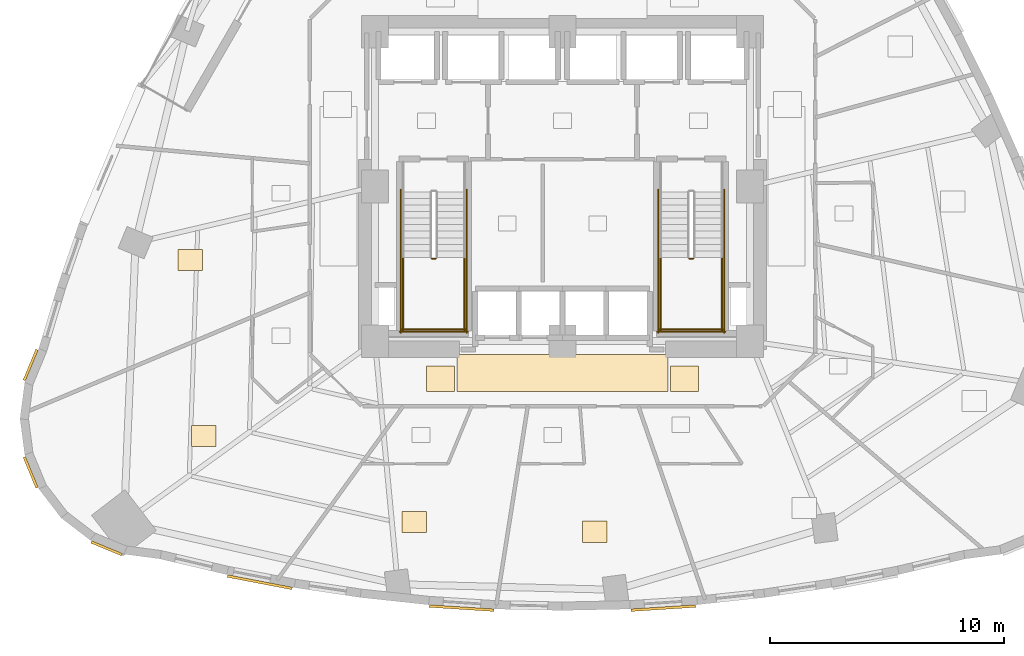
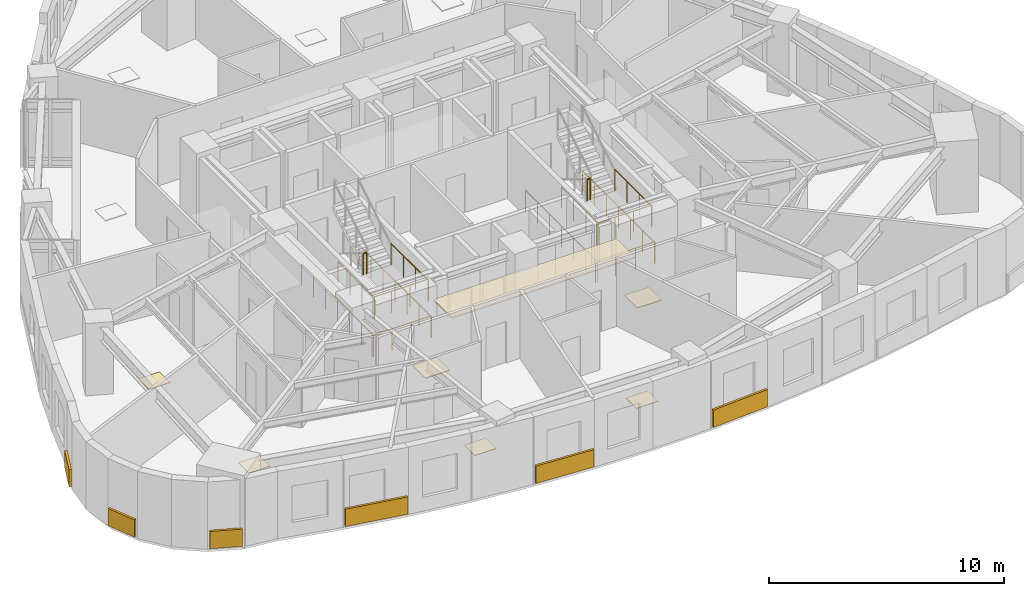
# One storey, part 10 of 12: 14 railings, 13 coverings.
"""IFC4 building model written with IfcOpenShell, lengths in metres."""

import ifcopenshell
import ifcopenshell.guid

model = None  # the IFC model being written
_history = None  # IfcOwnerHistory: only IFC2X3 demands one
_inside = {}  # id of a spatial element -> (the spatial element, [elements in it])
_under = {}  # id of a project, library or spatial element -> (it, [spatial elements below it])
_declared = {}  # id of a project -> (the project, [libraries it declares])
_typed = {}  # id of a type object -> (the type object, [elements of that type])
_made_of = {}  # id of a material, layer set ... -> (it, [elements and type objects made of it])


def new_model(schema):
    """Start an empty IFC model of exactly this schema.

    Asked for "IFC4X3", IfcOpenShell would pick the latest addendum, in which some entities
    have other attributes; the version numbers below select the first issue.
    IFC2X3 requires an IfcOwnerHistory on every rooted entity: one is made here for all.
    """
    global model, _history
    if schema == "IFC4X3":
        model = ifcopenshell.file(schema_version=(4, 3, 0, 0))
    else:
        model = ifcopenshell.file(schema=schema)
    _inside.clear()
    _under.clear()
    _declared.clear()
    _typed.clear()
    _made_of.clear()
    _history = None
    if model.schema == "IFC2X3":
        org = make("IfcOrganization", Name="unknown")
        user = make(
            "IfcPersonAndOrganization",
            ThePerson=make("IfcPerson", FamilyName="unknown"),
            TheOrganization=org,
        )
        app = make(
            "IfcApplication",
            ApplicationDeveloper=org,
            Version="unknown",
            ApplicationFullName="unknown",
            ApplicationIdentifier="unknown",
        )
        _history = make(
            "IfcOwnerHistory",
            OwningUser=user,
            OwningApplication=app,
            ChangeAction="ADDED",
            CreationDate=0,
        )
    return model


def make(cls, **values):
    """One entity of the class cls with the attributes given. An attribute that is None is left unset."""
    return model.create_entity(
        cls, **{name: value for name, value in values.items() if value is not None}
    )


def rooted(cls, **values):
    """An entity with a GlobalId (a new one), such as an element, a storey or a relation."""
    return make(cls, GlobalId=ifcopenshell.guid.new(), OwnerHistory=_history, **values)


def si_unit(unit_type, name, prefix=None):
    """IfcSIUnit, for example si_unit("LENGTHUNIT", "METRE", prefix="MILLI")."""
    return make("IfcSIUnit", UnitType=unit_type, Prefix=prefix, Name=name)


def assignment(units):
    """IfcUnitAssignment: the units of a project."""
    return None if units is None else make("IfcUnitAssignment", Units=units)


def point(xyz):
    """IfcCartesianPoint."""
    return None if xyz is None else make("IfcCartesianPoint", Coordinates=xyz)


def direction(xyz):
    """IfcDirection."""
    return None if xyz is None else make("IfcDirection", DirectionRatios=xyz)


def frame(location, z_axis=None, x_axis=None):
    """IfcAxis2Placement3D, a coordinate frame: its origin and axes. An axis left out is left unset."""
    return make(
        "IfcAxis2Placement3D",
        Location=point(location),
        Axis=direction(z_axis),
        RefDirection=direction(x_axis),
    )


def frame_2d(location, x_axis=None):
    """IfcAxis2Placement2D, a coordinate frame in the plane: its origin and x axis."""
    return make(
        "IfcAxis2Placement2D", Location=point(location), RefDirection=direction(x_axis)
    )


def origin():
    """The frame at (0, 0, 0) with its axes left unset."""
    return frame((0.0, 0.0, 0.0))


def origin_2d():
    """The frame at (0, 0) in the plane with its x axis left unset."""
    return frame_2d((0.0, 0.0))


def place(relative_to, where):
    """IfcLocalPlacement: puts the frame where relative to a parent placement (None: the world)."""
    return make(
        "IfcLocalPlacement", PlacementRelTo=relative_to, RelativePlacement=where
    )


def context(
    kind, dimensions, precision=None, world=None, true_north=None, identifier=None
):
    """IfcGeometricRepresentationContext, for example the 3D "Model" context."""
    return make(
        "IfcGeometricRepresentationContext",
        ContextIdentifier=identifier,
        ContextType=kind,
        CoordinateSpaceDimension=dimensions,
        Precision=precision,
        WorldCoordinateSystem=world,
        TrueNorth=true_north,
    )


def subcontext(parent, identifier, kind, view, scale=None):
    """IfcGeometricRepresentationSubContext, for example "Body" below "Model"."""
    return make(
        "IfcGeometricRepresentationSubContext",
        ContextIdentifier=identifier,
        ContextType=kind,
        ParentContext=parent,
        TargetScale=scale,
        TargetView=view,
    )


def project(units=None, contexts=None):
    """IfcProject with its units and contexts."""
    return rooted(
        "IfcProject",
        Name="project",
        RepresentationContexts=contexts,
        UnitsInContext=assignment(units),
    )


def spatial(cls, under=None, at=None, **own):
    """A site, building, storey or space (cls), placed at a placement, below another one or the project."""
    s = rooted(cls, ObjectPlacement=at, **own)
    if under is not None:
        _under.setdefault(under.id(), (under, []))[1].append(s)
    return s


def profile(cls, at=None, kind="AREA", **sizes):
    """A parametric profile (cls). Its sizes go by their IFC names, for example OverallWidth=200.0."""
    return make(cls, ProfileType=kind, Position=at, **sizes)


def rectangle(**sizes):
    """IfcRectangleProfileDef."""
    return profile("IfcRectangleProfileDef", **sizes)


def circle(**sizes):
    """IfcCircleProfileDef."""
    return profile("IfcCircleProfileDef", **sizes)


def extrude(swept, where, along, depth):
    """IfcExtrudedAreaSolid: the profile swept, set in the frame where, extruded along a direction by depth."""
    return make(
        "IfcExtrudedAreaSolid",
        SweptArea=swept,
        Position=where,
        ExtrudedDirection=direction(along),
        Depth=depth,
    )


def shape(context_of_items, identifier, shape_type, items):
    """IfcShapeRepresentation: the items that make up one representation, for example the "Body"."""
    return make(
        "IfcShapeRepresentation",
        ContextOfItems=context_of_items,
        RepresentationIdentifier=identifier,
        RepresentationType=shape_type,
        Items=items,
    )


def material(Name=None, Category=None):
    """IfcMaterial."""
    return make("IfcMaterial", Name=Name, Category=Category)


def layer(
    of_material, thickness, ventilated=None, Name=None, Category=None, Priority=None
):
    """IfcMaterialLayer: one layer of a wall or slab, of a material (None: an air gap)."""
    return make(
        "IfcMaterialLayer",
        Material=of_material,
        LayerThickness=thickness,
        IsVentilated=ventilated,
        Name=Name,
        Category=Category,
        Priority=Priority,
    )


def layer_set(layers, Name=None):
    """IfcMaterialLayerSet."""
    return make("IfcMaterialLayerSet", MaterialLayers=layers, LayerSetName=Name)


def made_of(thing, what):
    """Note that an element or type object is made of a material, layer set ...; save() writes the relation."""
    if what is not None:
        _made_of.setdefault(what.id(), (what, []))[1].append(thing)
    return thing


def type_object(cls, material=None, **own):
    """A type object (cls), such as IfcWallType, which elements share."""
    return made_of(rooted(cls, **own), material)


def element(
    cls,
    number,
    at=None,
    inside=None,
    cuts=None,
    type_object=None,
    material=None,
    context=None,
    identifier="Body",
    shape_type=None,
    held_by="IfcProductDefinitionShape",
    body=None,
    shapes=None,
    **own,
):
    """One element of the class cls, such as IfcWall. Its Tag is "e" and its number.

    at: its placement. inside: the storey or other place that contains it. cuts: it is an
    opening in that element (IfcRelVoidsElement). A single representation is given by context,
    identifier, shape_type and body (its items); several are given by shapes. held_by: the class
    of the entity that holds the representations. save() writes the other relations.
    """
    e = rooted(cls, Tag="e%d" % number, ObjectPlacement=at, **own)
    if body is not None:
        shapes = [shape(context, identifier, shape_type, body)]
    if shapes is not None:
        e.Representation = make(held_by, Representations=shapes)
    if inside is not None:
        _inside.setdefault(inside.id(), (inside, []))[1].append(e)
    if cuts is not None:
        rooted(
            "IfcRelVoidsElement", RelatingBuildingElement=cuts, RelatedOpeningElement=e
        )
    if type_object is not None:
        _typed.setdefault(type_object.id(), (type_object, []))[1].append(e)
    return made_of(e, material)


def aggregate(whole, parts):
    """IfcRelAggregates: a whole, such as a stair, and the parts it consists of."""
    return rooted("IfcRelAggregates", RelatingObject=whole, RelatedObjects=parts)


def save(model, path):
    """Write the relations noted so far, then the file.

    IfcRelAggregates (storeys below a building ...), IfcRelContainedInSpatialStructure (elements
    in a storey), IfcRelDefinesByType, IfcRelAssociatesMaterial and IfcRelDeclares: one each for
    every whole, place, type object, material and project.
    """
    for whole, parts in _under.values():
        aggregate(whole, parts)
    for where, things in _inside.values():
        rooted(
            "IfcRelContainedInSpatialStructure",
            RelatedElements=things,
            RelatingStructure=where,
        )
    for kind, things in _typed.values():
        rooted("IfcRelDefinesByType", RelatedObjects=things, RelatingType=kind)
    for what, things in _made_of.values():
        rooted("IfcRelAssociatesMaterial", RelatedObjects=things, RelatingMaterial=what)
    for by, libraries in _declared.values():
        rooted("IfcRelDeclares", RelatingContext=by, RelatedDefinitions=libraries)
    model.write(path)


model = new_model("IFC4")

# Units and contexts
model_context = context("Model", 3, precision=1e-05, world=origin(), true_north=direction((0.0, 1.0)))
body_context = subcontext(model_context, "Body", "Model", "MODEL_VIEW")
ifc_project = project(units=[si_unit("LENGTHUNIT", "METRE"), si_unit("AREAUNIT", "SQUARE_METRE"), si_unit("VOLUMEUNIT", "CUBIC_METRE"), si_unit("PLANEANGLEUNIT", "RADIAN"), si_unit("MASSUNIT", "GRAM", prefix="KILO")], contexts=[model_context])

# Site, building, storey
site_placement = place(None, origin())
site = spatial("IfcSite", under=ifc_project, at=site_placement, CompositionType="ELEMENT")
building_placement = place(site_placement, origin())
building = spatial("IfcBuilding", under=site, at=building_placement, Name="Ndelora Gate Hotel", CompositionType="ELEMENT")
storey_placement = place(building_placement, frame((0.0, 0.0, 38.0)))
storey = spatial("IfcBuildingStorey", under=building, at=storey_placement, Name="L08", CompositionType="ELEMENT", Elevation=38.0)

# Coverings
ifc_material_1 = material(Name="Perforated Acoustic Gypsum Board", Category="gypsum")
ifc_layer_1 = layer(ifc_material_1, 0.054931640625)
ifc_layer_set_1 = layer_set([ifc_layer_1], Name="Perforated Acoustic Gypsum Board")
covering_type_1 = type_object("IfcCoveringType", Name="COV-CEIL-AC60", PredefinedType="CEILING", material=ifc_layer_set_1)
covering_1_placement = place(storey_placement, frame((0.0, -7.9599609375, 2.65234375), z_axis=(0.0, 0.0, 1.0), x_axis=(1.0, 0.0, 0.0)))
element("IfcCovering", 1, at=covering_1_placement, inside=storey, type_object=covering_type_1, Name="L08 Guest Corridor Acoustic Ceiling S", PredefinedType="CEILING", context=body_context, shape_type="SweptSolid", body=[
    extrude(rectangle(XDim=9.0, YDim=1.580078125, at=origin_2d()), origin(), (0.0, 0.0, 1.0), 0.054931640625),
])
ifc_material_2 = material(Name="Terracotta Fired Clay Brick Slip Cladding", Category="masonry")
ifc_layer_2 = layer(ifc_material_2, 0.110107421875)
ifc_layer_set_2 = layer_set([ifc_layer_2], Name="Terracotta Fired Clay Brick Slip Cladding")
covering_type_2 = type_object("IfcCoveringType", Name="COV-CLAD-BRK", PredefinedType="CLADDING", material=ifc_layer_set_2)
for number, where, z_axis, x_axis, name in (
    (2, (-22.6826171875, -7.614013671875, 0.10009765625), (0.0, 0.0, 1.0), (0.382683432365, 0.923879532511, 0.0), "L08 Rounded-Corner Brick Cladding Band 19"),
    (3, (-22.6826171875, -12.19384765625, 0.10009765625), (0.0, 0.0, 1.0), (-0.382683432365, 0.923879532511, 0.0), "L08 Rounded-Corner Brick Cladding Band 22"),
    (4, (-19.444091796875, -15.432373046875, 0.10009765625), (0.0, 0.0, 1.0), (-0.923879532511, 0.382683432365, 0.0), "L08 Rounded-Corner Brick Cladding Band 25"),
):
    element("IfcCovering", number, at=place(storey_placement, frame(where, z_axis=z_axis, x_axis=x_axis)), inside=storey, type_object=covering_type_2, Name=name, PredefinedType="CLADDING", context=body_context, shape_type="SweptSolid", body=[
        extrude(rectangle(XDim=1.4140625, YDim=0.110107421875, at=origin_2d()), origin(), (0.0, 0.0, 1.0), 0.89990234375),
    ])
covering_2_placement = place(storey_placement, frame((-12.90966796875, -16.88037109375, 0.10009765625), z_axis=(0.0, 0.0, 1.0), x_axis=(-0.981991701121, 0.188924055984, 0.0)))
element("IfcCovering", 5, at=covering_2_placement, inside=storey, type_object=covering_type_2, Name="L08 Rounded-Corner Brick Cladding Band 28", PredefinedType="CLADDING", context=body_context, shape_type="SweptSolid", body=[
    extrude(rectangle(XDim=2.81103515625, YDim=0.110107421875, at=origin_2d()), origin(), (0.0, 0.0, 1.0), 0.89990234375),
])
for number, where, z_axis, x_axis, name in (
    (6, (-4.303466796875, -17.984130859375, 0.10009765625), (0.0, 0.0, 1.0), (-0.997949270516, 0.064009792035, 0.0), "L08 Rounded-Corner Brick Cladding Band 31"),
    (7, (4.303466796875, -17.984130859375, 0.10009765625), (0.0, 0.0, 1.0), (0.997949270516, 0.064009792035, 0.0), "L08 Rounded-Corner Brick Cladding Band 34"),
):
    element("IfcCovering", number, at=place(storey_placement, frame(where, z_axis=z_axis, x_axis=x_axis)), inside=storey, type_object=covering_type_2, Name=name, PredefinedType="CLADDING", context=body_context, shape_type="SweptSolid", body=[
        extrude(rectangle(XDim=2.764892578125, YDim=0.110107421875, at=origin_2d()), origin(), (0.0, 0.0, 1.0), 0.89990234375),
    ])
ifc_material_3 = material(Name="Engineered Highland Oak Parquet", Category="wood")
ifc_layer_3 = layer(ifc_material_3, 0.030029296875)
ifc_layer_set_3 = layer_set([ifc_layer_3], Name="Engineered Highland Oak Parquet")
covering_type_3 = type_object("IfcCoveringType", Name="COV-FLR-PARQ", PredefinedType="FLOORING", material=ifc_layer_set_3)
for number, where, z_axis, x_axis, name in (
    (8, (-15.8720703125, -3.14208984375, 0.0), (0.0, 0.0, 1.0), (1.0, 0.0, 0.0), "L08 Deluxe King Junior Suite 1104 Oak Parquet Flooring"),
    (9, (-15.2939453125, -10.6494140625, 0.0), (0.0, 0.0, 1.0), (1.0, 0.0, 0.0), "L08 Twin Junior Suite 1105 Oak Parquet Flooring"),
    (10, (-6.317138671875, -14.314208984375, 0.0), (0.0, 0.0, 1.0), (1.0, 0.0, 0.0), "L08 Superior Double Guest Room 1106 Oak Parquet Flooring"),
    (11, (1.376708984375, -14.728515625, 0.0), (0.0, 0.0, 1.0), (1.0, 0.0, 0.0), "L08 Executive King Guest Room 1107 Oak Parquet Flooring"),
):
    element("IfcCovering", number, at=place(storey_placement, frame(where, z_axis=z_axis, x_axis=x_axis)), inside=storey, type_object=covering_type_3, Name=name, PredefinedType="FLOORING", context=body_context, shape_type="SweptSolid", body=[
        extrude(rectangle(XDim=1.050048828125, YDim=0.89990234375, at=origin_2d()), origin(), (0.0, 0.0, 1.0), 0.030029296875),
    ])
ifc_material_4 = material(Name="Polished Highland Stone Terrazzo", Category="masonry")
ifc_layer_4 = layer(ifc_material_4, 0.034912109375)
ifc_layer_set_4 = layer_set([ifc_layer_4], Name="Polished Highland Stone Terrazzo")
covering_type_4 = type_object("IfcCoveringType", Name="COV-FLR-TERZ", PredefinedType="FLOORING", material=ifc_layer_set_4)
for number, where, z_axis, x_axis, name in (
    (12, (-5.199951171875, -8.199951171875, 0.0), (0.0, 0.0, 1.0), (1.0, 0.0, 0.0), "L08 Corridor Threshold Terrazzo Inlay SW"),
    (13, (5.199951171875, -8.199951171875, 0.0), (0.0, 0.0, 1.0), (1.0, 0.0, 0.0), "L08 Corridor Threshold Terrazzo Inlay SE"),
):
    element("IfcCovering", number, at=place(storey_placement, frame(where, z_axis=z_axis, x_axis=x_axis)), inside=storey, type_object=covering_type_4, Name=name, PredefinedType="FLOORING", context=body_context, shape_type="SweptSolid", body=[
        extrude(rectangle(XDim=1.199951171875, YDim=1.10009765625, at=origin_2d()), origin(), (0.0, 0.0, 1.0), 0.034912109375),
    ])

# Railings
ifc_material_5 = material(Name="Painted Galvanized Steel Balustrade", Category="steel")
ifc_layer_5 = layer(ifc_material_5, 0.06005859375)
ifc_layer_set_5 = layer_set([ifc_layer_5], Name="Painted Galvanized Steel Balustrade")
railing_type = type_object("IfcRailingType", Name="RL-STAIR-GD", PredefinedType="GUARDRAIL", material=ifc_layer_set_5)
railing_1_placement = place(storey_placement, frame((-5.570068359375, -3.080078125, 1.875)))
element("IfcRailing", 14, at=railing_1_placement, inside=storey, type_object=railing_type, Name="L08 ST4 stair guard 2", PredefinedType="GUARDRAIL", context=body_context, shape_type="SweptSolid", body=[
    extrude(circle(Radius=0.02392578125, at=origin_2d()), frame((0.0, 0.0, 1.10595703125), z_axis=(1.0, 0.0, 0.0), x_axis=(0.0, 1.0, 0.0)), (0.0, 0.0, 1.0), 0.16015625),
    extrude(circle(Radius=0.02099609375, at=origin_2d()), origin(), (0.0, 0.0, 1.0), 1.081787109375),
    extrude(circle(Radius=0.02099609375, at=origin_2d()), frame((0.16015625, 0.0, 0.0)), (0.0, 0.0, 1.0), 1.081787109375),
])
for number, where, name in (
    (15, (-6.800048828125, -3.030029296875, 1.875), "L08 ST4 stair guard 3"),
    (16, (-4.179931640625, -3.030029296875, 1.875), "L08 ST4 stair guard 4"),
):
    element("IfcRailing", number, at=place(storey_placement, frame(where)), inside=storey, type_object=railing_type, Name=name, PredefinedType="GUARDRAIL", context=body_context, shape_type="SweptSolid", body=[
        extrude(circle(Radius=0.02392578125, at=origin_2d()), frame((0.0, 0.0, 1.10595703125), z_axis=(0.0, -1.0, 0.0), x_axis=(1.0, 0.0, 0.0)), (0.0, 0.0, 1.0), 3.119873046875),
        extrude(circle(Radius=0.02099609375, at=origin_2d()), origin(), (0.0, 0.0, 1.0), 1.081787109375),
        extrude(circle(Radius=0.02099609375, at=origin_2d()), frame((0.0, -1.0400390625, 0.0)), (0.0, 0.0, 1.0), 1.081787109375),
        extrude(circle(Radius=0.02099609375, at=origin_2d()), frame((0.0, -2.079833984375, 0.0)), (0.0, 0.0, 1.0), 1.081787109375),
        extrude(circle(Radius=0.02099609375, at=origin_2d()), frame((0.0, -3.119873046875, 0.0)), (0.0, 0.0, 1.0), 1.081787109375),
    ])
railing_2_placement = place(storey_placement, frame((-6.85009765625, -6.10009765625, 1.875)))
element("IfcRailing", 17, at=railing_2_placement, inside=storey, type_object=railing_type, Name="L08 ST4 stair guard 5", PredefinedType="GUARDRAIL", context=body_context, shape_type="SweptSolid", body=[
    extrude(circle(Radius=0.02392578125, at=origin_2d()), frame((0.0, 0.0, 1.10595703125), z_axis=(1.0, 0.0, 0.0), x_axis=(0.0, 1.0, 0.0)), (0.0, 0.0, 1.0), 2.72021484375),
    extrude(circle(Radius=0.02099609375, at=origin_2d()), origin(), (0.0, 0.0, 1.0), 1.081787109375),
    extrude(circle(Radius=0.02099609375, at=origin_2d()), frame((0.90673828125, 0.0, 0.0)), (0.0, 0.0, 1.0), 1.081787109375),
    extrude(circle(Radius=0.02099609375, at=origin_2d()), frame((1.8134765625, 0.0, 0.0)), (0.0, 0.0, 1.0), 1.081787109375),
    extrude(circle(Radius=0.02099609375, at=origin_2d()), frame((2.72021484375, 0.0, 0.0)), (0.0, 0.0, 1.0), 1.081787109375),
])
for number, where, name in (
    (18, (-6.89990234375, -0.1298828125, 0.0), "L08 ST4 stair guard 10"),
    (19, (-4.080078125, -0.1298828125, 0.0), "L08 ST4 stair guard 11"),
):
    element("IfcRailing", number, at=place(storey_placement, frame(where)), inside=storey, type_object=railing_type, Name=name, PredefinedType="GUARDRAIL", context=body_context, shape_type="SweptSolid", body=[
        extrude(circle(Radius=0.02392578125, at=origin_2d()), frame((0.0, 0.0, 1.10595703125), z_axis=(0.0, -1.0, 0.0), x_axis=(1.0, 0.0, 0.0)), (0.0, 0.0, 1.0), 6.1201171875),
        extrude(circle(Radius=0.02099609375, at=origin_2d()), origin(), (0.0, 0.0, 1.0), 1.081787109375),
        extrude(circle(Radius=0.02099609375, at=origin_2d()), frame((0.0, -1.02001953125, 0.0)), (0.0, 0.0, 1.0), 1.081787109375),
        extrude(circle(Radius=0.02099609375, at=origin_2d()), frame((0.0, -2.0400390625, 0.0)), (0.0, 0.0, 1.0), 1.081787109375),
        extrude(circle(Radius=0.02099609375, at=origin_2d()), frame((0.0, -3.06005859375, 0.0)), (0.0, 0.0, 1.0), 1.081787109375),
        extrude(circle(Radius=0.02099609375, at=origin_2d()), frame((0.0, -4.080078125, 0.0)), (0.0, 0.0, 1.0), 1.081787109375),
        extrude(circle(Radius=0.02099609375, at=origin_2d()), frame((0.0, -5.10009765625, 0.0)), (0.0, 0.0, 1.0), 1.081787109375),
        extrude(circle(Radius=0.02099609375, at=origin_2d()), frame((0.0, -6.1201171875, 0.0)), (0.0, 0.0, 1.0), 1.081787109375),
    ])
railing_3_placement = place(storey_placement, frame((-6.949951171875, -6.199951171875, 0.0)))
element("IfcRailing", 20, at=railing_3_placement, inside=storey, type_object=railing_type, Name="L08 ST4 stair guard 12", PredefinedType="GUARDRAIL", context=body_context, shape_type="SweptSolid", body=[
    extrude(circle(Radius=0.02392578125, at=origin_2d()), frame((0.0, 0.0, 1.10595703125), z_axis=(1.0, 0.0, 0.0), x_axis=(0.0, 1.0, 0.0)), (0.0, 0.0, 1.0), 2.919921875),
    extrude(circle(Radius=0.02099609375, at=origin_2d()), origin(), (0.0, 0.0, 1.0), 1.081787109375),
    extrude(circle(Radius=0.02099609375, at=origin_2d()), frame((0.973388671875, 0.0, 0.0)), (0.0, 0.0, 1.0), 1.081787109375),
    extrude(circle(Radius=0.02099609375, at=origin_2d()), frame((1.946533203125, 0.0, 0.0)), (0.0, 0.0, 1.0), 1.081787109375),
    extrude(circle(Radius=0.02099609375, at=origin_2d()), frame((2.919921875, 0.0, 0.0)), (0.0, 0.0, 1.0), 1.081787109375),
])
railing_4_placement = place(storey_placement, frame((5.409912109375, -3.080078125, 1.875)))
element("IfcRailing", 21, at=railing_4_placement, inside=storey, type_object=railing_type, Name="L08 ST5 stair guard 2", PredefinedType="GUARDRAIL", context=body_context, shape_type="SweptSolid", body=[
    extrude(circle(Radius=0.02392578125, at=origin_2d()), frame((0.0, 0.0, 1.10595703125), z_axis=(1.0, 0.0, 0.0), x_axis=(0.0, 1.0, 0.0)), (0.0, 0.0, 1.0), 0.16015625),
    extrude(circle(Radius=0.02099609375, at=origin_2d()), origin(), (0.0, 0.0, 1.0), 1.081787109375),
    extrude(circle(Radius=0.02099609375, at=origin_2d()), frame((0.16015625, 0.0, 0.0)), (0.0, 0.0, 1.0), 1.081787109375),
])
for number, where, name in (
    (22, (4.179931640625, -3.030029296875, 1.875), "L08 ST5 stair guard 3"),
    (23, (6.800048828125, -3.030029296875, 1.875), "L08 ST5 stair guard 4"),
):
    element("IfcRailing", number, at=place(storey_placement, frame(where)), inside=storey, type_object=railing_type, Name=name, PredefinedType="GUARDRAIL", context=body_context, shape_type="SweptSolid", body=[
        extrude(circle(Radius=0.02392578125, at=origin_2d()), frame((0.0, 0.0, 1.10595703125), z_axis=(0.0, -1.0, 0.0), x_axis=(1.0, 0.0, 0.0)), (0.0, 0.0, 1.0), 3.119873046875),
        extrude(circle(Radius=0.02099609375, at=origin_2d()), origin(), (0.0, 0.0, 1.0), 1.081787109375),
        extrude(circle(Radius=0.02099609375, at=origin_2d()), frame((0.0, -1.0400390625, 0.0)), (0.0, 0.0, 1.0), 1.081787109375),
        extrude(circle(Radius=0.02099609375, at=origin_2d()), frame((0.0, -2.079833984375, 0.0)), (0.0, 0.0, 1.0), 1.081787109375),
        extrude(circle(Radius=0.02099609375, at=origin_2d()), frame((0.0, -3.119873046875, 0.0)), (0.0, 0.0, 1.0), 1.081787109375),
    ])
railing_5_placement = place(storey_placement, frame((4.1298828125, -6.10009765625, 1.875)))
element("IfcRailing", 24, at=railing_5_placement, inside=storey, type_object=railing_type, Name="L08 ST5 stair guard 5", PredefinedType="GUARDRAIL", context=body_context, shape_type="SweptSolid", body=[
    extrude(circle(Radius=0.02392578125, at=origin_2d()), frame((0.0, 0.0, 1.10595703125), z_axis=(1.0, 0.0, 0.0), x_axis=(0.0, 1.0, 0.0)), (0.0, 0.0, 1.0), 2.72021484375),
    extrude(circle(Radius=0.02099609375, at=origin_2d()), origin(), (0.0, 0.0, 1.0), 1.081787109375),
    extrude(circle(Radius=0.02099609375, at=origin_2d()), frame((0.90673828125, 0.0, 0.0)), (0.0, 0.0, 1.0), 1.081787109375),
    extrude(circle(Radius=0.02099609375, at=origin_2d()), frame((1.8134765625, 0.0, 0.0)), (0.0, 0.0, 1.0), 1.081787109375),
    extrude(circle(Radius=0.02099609375, at=origin_2d()), frame((2.72021484375, 0.0, 0.0)), (0.0, 0.0, 1.0), 1.081787109375),
])
for number, where, name in (
    (25, (4.080078125, -0.1298828125, 0.0), "L08 ST5 stair guard 10"),
    (26, (6.89990234375, -0.1298828125, 0.0), "L08 ST5 stair guard 11"),
):
    element("IfcRailing", number, at=place(storey_placement, frame(where)), inside=storey, type_object=railing_type, Name=name, PredefinedType="GUARDRAIL", context=body_context, shape_type="SweptSolid", body=[
        extrude(circle(Radius=0.02392578125, at=origin_2d()), frame((0.0, 0.0, 1.10595703125), z_axis=(0.0, -1.0, 0.0), x_axis=(1.0, 0.0, 0.0)), (0.0, 0.0, 1.0), 6.1201171875),
        extrude(circle(Radius=0.02099609375, at=origin_2d()), origin(), (0.0, 0.0, 1.0), 1.081787109375),
        extrude(circle(Radius=0.02099609375, at=origin_2d()), frame((0.0, -1.02001953125, 0.0)), (0.0, 0.0, 1.0), 1.081787109375),
        extrude(circle(Radius=0.02099609375, at=origin_2d()), frame((0.0, -2.0400390625, 0.0)), (0.0, 0.0, 1.0), 1.081787109375),
        extrude(circle(Radius=0.02099609375, at=origin_2d()), frame((0.0, -3.06005859375, 0.0)), (0.0, 0.0, 1.0), 1.081787109375),
        extrude(circle(Radius=0.02099609375, at=origin_2d()), frame((0.0, -4.080078125, 0.0)), (0.0, 0.0, 1.0), 1.081787109375),
        extrude(circle(Radius=0.02099609375, at=origin_2d()), frame((0.0, -5.10009765625, 0.0)), (0.0, 0.0, 1.0), 1.081787109375),
        extrude(circle(Radius=0.02099609375, at=origin_2d()), frame((0.0, -6.1201171875, 0.0)), (0.0, 0.0, 1.0), 1.081787109375),
    ])
railing_6_placement = place(storey_placement, frame((4.030029296875, -6.199951171875, 0.0)))
element("IfcRailing", 27, at=railing_6_placement, inside=storey, type_object=railing_type, Name="L08 ST5 stair guard 12", PredefinedType="GUARDRAIL", context=body_context, shape_type="SweptSolid", body=[
    extrude(circle(Radius=0.02392578125, at=origin_2d()), frame((0.0, 0.0, 1.10595703125), z_axis=(1.0, 0.0, 0.0), x_axis=(0.0, 1.0, 0.0)), (0.0, 0.0, 1.0), 2.919921875),
    extrude(circle(Radius=0.02099609375, at=origin_2d()), origin(), (0.0, 0.0, 1.0), 1.081787109375),
    extrude(circle(Radius=0.02099609375, at=origin_2d()), frame((0.973388671875, 0.0, 0.0)), (0.0, 0.0, 1.0), 1.081787109375),
    extrude(circle(Radius=0.02099609375, at=origin_2d()), frame((1.946533203125, 0.0, 0.0)), (0.0, 0.0, 1.0), 1.081787109375),
    extrude(circle(Radius=0.02099609375, at=origin_2d()), frame((2.919921875, 0.0, 0.0)), (0.0, 0.0, 1.0), 1.081787109375),
])

save(model, "model.ifc")
